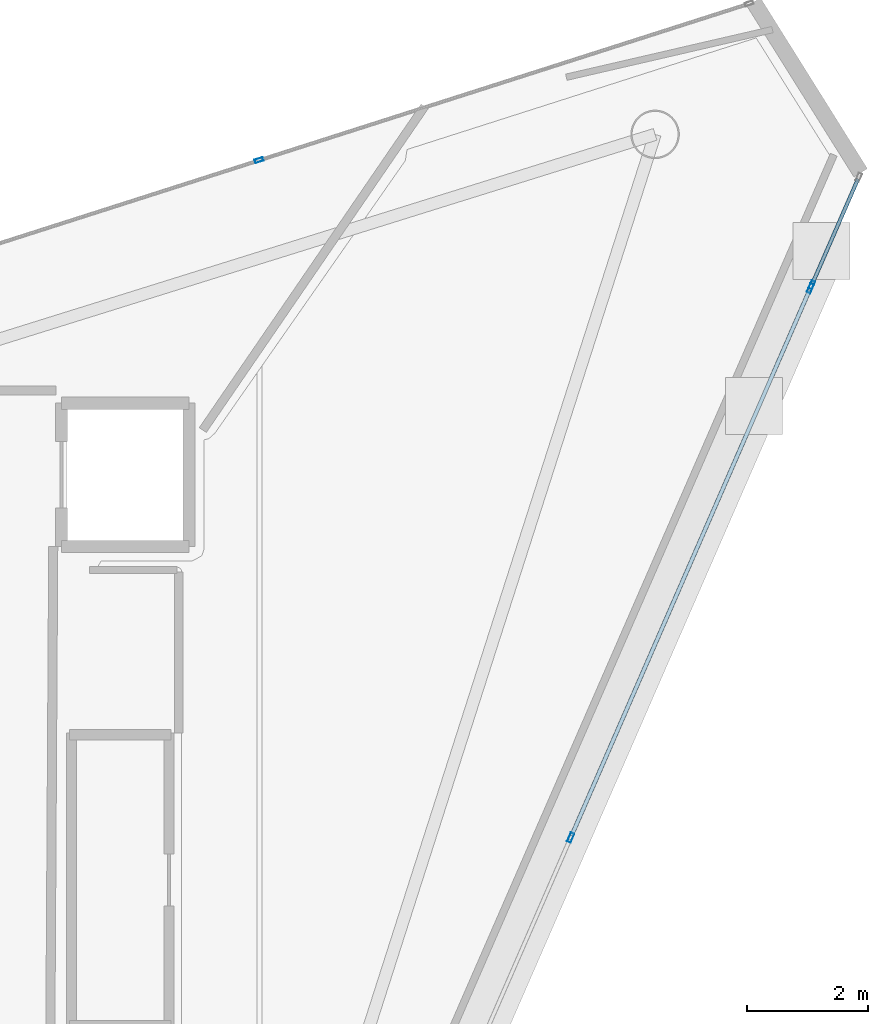
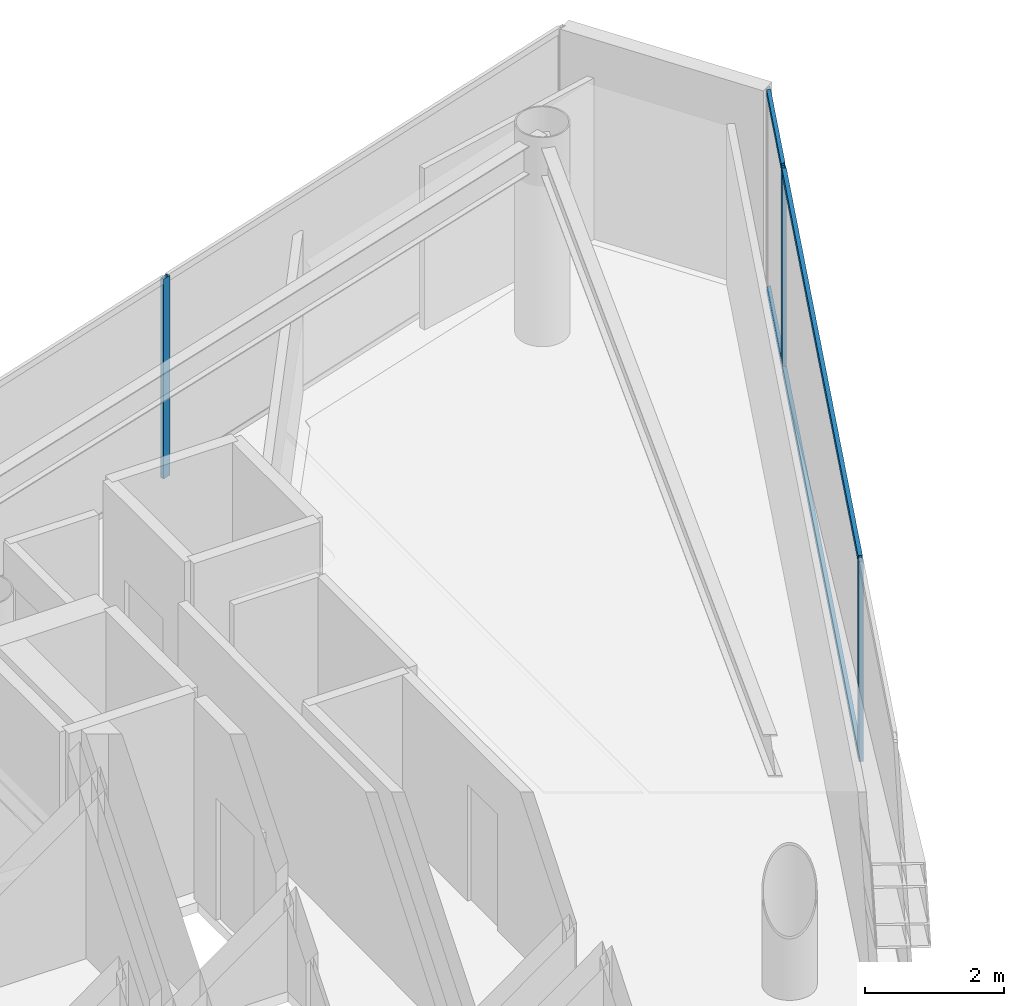
# One storey, part 13 of 19: 8 members, 3 elements without a shape of their own.
"""IFC4 building model written with IfcOpenShell, lengths in metres."""

from ifc_helpers import new_model, si_unit, direction, frame, origin, origin_2d, place, context, subcontext, project, spatial, hollow_rectangle, extrude, material, layer, layer_set, material_profile, profile_set, type_object, element, aggregate, save


model = new_model("IFC4")

# Units and contexts
model_context = context("Model", 3, precision=1e-05, world=origin(), true_north=direction((0.0, 1.0)))
body_context = subcontext(model_context, "Body", "Model", "MODEL_VIEW")
ifc_project = project(units=[si_unit("LENGTHUNIT", "METRE"), si_unit("AREAUNIT", "SQUARE_METRE"), si_unit("VOLUMEUNIT", "CUBIC_METRE"), si_unit("PLANEANGLEUNIT", "RADIAN"), si_unit("MASSUNIT", "GRAM", prefix="KILO")], contexts=[model_context])

# Site, building, storey
site_placement = place(None, origin())
site = spatial("IfcSite", under=ifc_project, at=site_placement, CompositionType="ELEMENT")
building_placement = place(site_placement, origin())
building = spatial("IfcBuilding", under=site, at=building_placement, Name="Qianvela Tower", CompositionType="ELEMENT")
storey_placement = place(building_placement, frame((0.0, 0.0, 329.60009765625)))
storey = spatial("IfcBuildingStorey", under=building, at=storey_placement, Name="L85", CompositionType="ELEMENT", Elevation=329.60009765625)

# Curtain wall, members
ifc_material_1 = material(Name="Anodised Architectural Aluminium and Insulated Spandrel Panel", Category="aluminium")
ifc_layer_1 = layer(ifc_material_1, 0.179931640625)
ifc_layer_set_1 = layer_set([ifc_layer_1], Name="Anodised Architectural Aluminium and Insulated Spandrel Panel")
curtain_wall_type_1 = type_object("IfcCurtainWallType", Name="CW-BRACEBAY", PredefinedType="USERDEFINED", material=ifc_layer_set_1)
curtain_wall_1_placement = place(storey_placement, origin())
curtain_wall_1 = element("IfcCurtainWall", 1, at=curtain_wall_1_placement, inside=storey, type_object=curtain_wall_type_1, Name="L85 CW-BRACEBAY Curtain Wall 06B", ObjectType="CURTAIN_WALL_SYSTEM", PredefinedType="USERDEFINED")
ifc_material_2 = material(Name="Anodised Architectural Aluminium 6063-T6", Category="aluminium")
ifc_material_profile_1 = material_profile(ifc_material_2, hollow_rectangle(XDim=0.06494140625, YDim=0.159912109375, WallThickness=0.0048828125, at=origin_2d()), Name="ALU-MULL-65x160")
ifc_profile_set_1 = profile_set([ifc_material_profile_1], Name="Anodised Architectural Aluminium 6063-T6")
member_type_1 = type_object("IfcMemberType", Name="CW-BRACEBAY-MULL", PredefinedType="MULLION", material=ifc_profile_set_1)
member_1_placement = place(storey_placement, frame((49.837646484375, 28.12451171875, 0.0), z_axis=(0.0, 0.0, 1.0), x_axis=(-0.916593096864, 0.399821328572, 0.0)))
member_1 = element("IfcMember", 2, at=member_1_placement, type_object=member_type_1, Name="CW-9 mullion 3", PredefinedType="MULLION", context=body_context, shape_type="SweptSolid", body=[
    extrude(hollow_rectangle(XDim=0.06494140625, YDim=0.159912109375, WallThickness=0.0048828125, at=origin_2d()), origin(), (0.0, 0.0, 1.0), 3.52001953125),
])
member_2_placement = place(storey_placement, frame((53.7841796875, 37.172119140625, 0.0), z_axis=(0.0, 0.0, 1.0), x_axis=(-0.916593096864, 0.399821328572, 0.0)))
member_2 = element("IfcMember", 3, at=member_2_placement, type_object=member_type_1, Name="CW-9 mullion 4", PredefinedType="MULLION", context=body_context, shape_type="SweptSolid", body=[
    extrude(hollow_rectangle(XDim=0.06494140625, YDim=0.159912109375, WallThickness=0.0048828125, at=origin_2d()), origin(), (0.0, 0.0, 1.0), 3.52001953125),
])
ifc_material_3 = material(Name="Anodised Architectural Aluminium 6063-T6", Category="aluminium")
ifc_material_profile_2 = material_profile(ifc_material_3, hollow_rectangle(XDim=0.06494140625, YDim=0.1298828125, WallThickness=0.00439453125, at=origin_2d()), Name="ALU-TRAN-65x130")
ifc_profile_set_2 = profile_set([ifc_material_profile_2], Name="Anodised Architectural Aluminium 6063-T6")
member_type_2 = type_object("IfcMemberType", Name="CW-BRACEBAY-TRAN", PredefinedType="USERDEFINED", material=ifc_profile_set_2)
member_3_placement = place(storey_placement, frame((49.8505859375, 28.154296875, 0.032470703125), z_axis=(0.399824667939, 0.916591640213, 0.0), x_axis=(-0.916591640213, 0.399824667939, 0.0)))
member_3 = element("IfcMember", 4, at=member_3_placement, type_object=member_type_2, Name="CW-9 transom 3.1", ObjectType="TRANSOM", PredefinedType="USERDEFINED", context=body_context, shape_type="SweptSolid", body=[
    extrude(hollow_rectangle(XDim=0.06494140625, YDim=0.1298828125, WallThickness=0.00439453125, at=origin_2d()), origin(), (0.0, 0.0, 1.0), 9.805908203125),
])
member_4_placement = place(storey_placement, frame((49.8505859375, 28.154296875, 3.4873046875), z_axis=(0.399824667939, 0.916591640213, 0.0), x_axis=(-0.916591640213, 0.399824667939, 0.0)))
member_4 = element("IfcMember", 5, at=member_4_placement, type_object=member_type_2, Name="CW-9 transom 3.2", ObjectType="TRANSOM", PredefinedType="USERDEFINED", context=body_context, shape_type="SweptSolid", body=[
    extrude(hollow_rectangle(XDim=0.06494140625, YDim=0.1298828125, WallThickness=0.00439453125, at=origin_2d()), origin(), (0.0, 0.0, 1.0), 9.805908203125),
])
aggregate(curtain_wall_1, [member_1, member_2, member_3, member_4])

# Curtain wall, member
ifc_material_4 = material(Name="Anodised Architectural Aluminium and Low-E Glass", Category="aluminium")
ifc_layer_2 = layer(ifc_material_4, 0.14990234375)
ifc_layer_set_2 = layer_set([ifc_layer_2], Name="Anodised Architectural Aluminium and Low-E Glass")
curtain_wall_type_2 = type_object("IfcCurtainWallType", Name="CW-COLIV-Z78", PredefinedType="USERDEFINED", material=ifc_layer_set_2)
curtain_wall_2_placement = place(storey_placement, origin())
curtain_wall_2 = element("IfcCurtainWall", 6, at=curtain_wall_2_placement, inside=storey, type_object=curtain_wall_type_2, Name="L85 CW-COLIV-Z78 Curtain Wall 02A", ObjectType="CURTAIN_WALL_SYSTEM", PredefinedType="USERDEFINED")
ifc_material_5 = material(Name="Anodised Architectural Aluminium 6063-T6", Category="aluminium")
ifc_material_profile_3 = material_profile(ifc_material_5, hollow_rectangle(XDim=0.06005859375, YDim=0.139892578125, WallThickness=0.00439453125, at=origin_2d()), Name="ALU-MULL-60x140")
ifc_profile_set_3 = profile_set([ifc_material_profile_3], Name="Anodised Architectural Aluminium 6063-T6")
member_type_3 = type_object("IfcMemberType", Name="CW-COLIV-Z78-MULL", PredefinedType="MULLION", material=ifc_profile_set_3)
member_5_placement = place(storey_placement, frame((44.703369140625, 39.283203125, 0.0), z_axis=(0.0, 0.0, 1.0), x_axis=(0.304484115934, -0.952517413565, 0.0)))
member_5 = element("IfcMember", 7, at=member_5_placement, type_object=member_type_3, Name="CW-6 mullion 2", PredefinedType="MULLION", context=body_context, shape_type="SweptSolid", body=[
    extrude(hollow_rectangle(XDim=0.06005859375, YDim=0.139892578125, WallThickness=0.00439453125, at=origin_2d()), origin(), (0.0, 0.0, 1.0), 3.52001953125),
])
aggregate(curtain_wall_2, [member_5])

# Curtain wall, members
curtain_wall_3_placement = place(storey_placement, origin())
curtain_wall_3 = element("IfcCurtainWall", 8, at=curtain_wall_3_placement, inside=storey, type_object=curtain_wall_type_2, Name="L85 CW-COLIV-Z78 Curtain Wall 06C", ObjectType="CURTAIN_WALL_SYSTEM", PredefinedType="USERDEFINED")
member_6_placement = place(storey_placement, frame((53.80908203125, 37.229248046875, 0.0), z_axis=(0.0, 0.0, 1.0), x_axis=(-0.916601226241, 0.399802691404, 0.0)))
member_6 = element("IfcMember", 9, at=member_6_placement, type_object=member_type_3, Name="CW-6 mullion 1", PredefinedType="MULLION", context=body_context, shape_type="SweptSolid", body=[
    extrude(hollow_rectangle(XDim=0.06005859375, YDim=0.139892578125, WallThickness=0.00439453125, at=origin_2d()), origin(), (0.0, 0.0, 1.0), 3.52001953125),
])
ifc_material_6 = material(Name="Anodised Architectural Aluminium 6063-T6", Category="aluminium")
ifc_material_profile_4 = material_profile(ifc_material_6, hollow_rectangle(XDim=0.06005859375, YDim=0.114990234375, WallThickness=0.00390625, at=origin_2d()), Name="ALU-TRAN-60x115")
ifc_profile_set_4 = profile_set([ifc_material_profile_4], Name="Anodised Architectural Aluminium 6063-T6")
member_type_4 = type_object("IfcMemberType", Name="CW-COLIV-Z78-TRAN", PredefinedType="USERDEFINED", material=ifc_profile_set_4)
member_7_placement = place(storey_placement, frame((53.8212890625, 37.2568359375, 0.02978515625), z_axis=(0.399731446059, 0.916632298706, 0.0), x_axis=(-0.916632298706, 0.399731446059, 0.0)))
member_7 = element("IfcMember", 10, at=member_7_placement, type_object=member_type_4, Name="CW-6 transom 1.1", ObjectType="TRANSOM", PredefinedType="USERDEFINED", context=body_context, shape_type="SweptSolid", body=[
    extrude(hollow_rectangle(XDim=0.06005859375, YDim=0.114990234375, WallThickness=0.00390625, at=origin_2d()), origin(), (0.0, 0.0, 1.0), 1.873291015625),
])
member_8_placement = place(storey_placement, frame((53.8212890625, 37.2568359375, 3.489990234375), z_axis=(0.399731446059, 0.916632298706, 0.0), x_axis=(-0.916632298706, 0.399731446059, 0.0)))
member_8 = element("IfcMember", 11, at=member_8_placement, type_object=member_type_4, Name="CW-6 transom 1.2", ObjectType="TRANSOM", PredefinedType="USERDEFINED", context=body_context, shape_type="SweptSolid", body=[
    extrude(hollow_rectangle(XDim=0.06005859375, YDim=0.114990234375, WallThickness=0.00390625, at=origin_2d()), origin(), (0.0, 0.0, 1.0), 1.873291015625),
])
aggregate(curtain_wall_3, [member_6, member_7, member_8])

save(model, "model.ifc")
